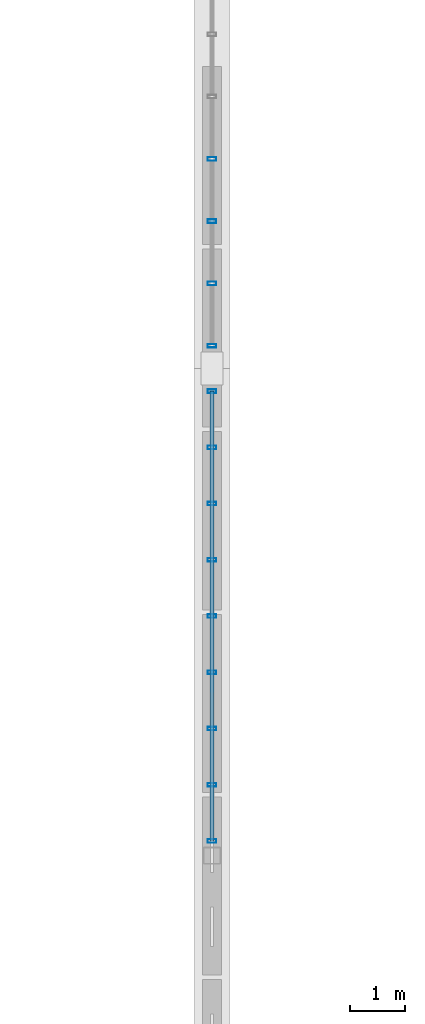
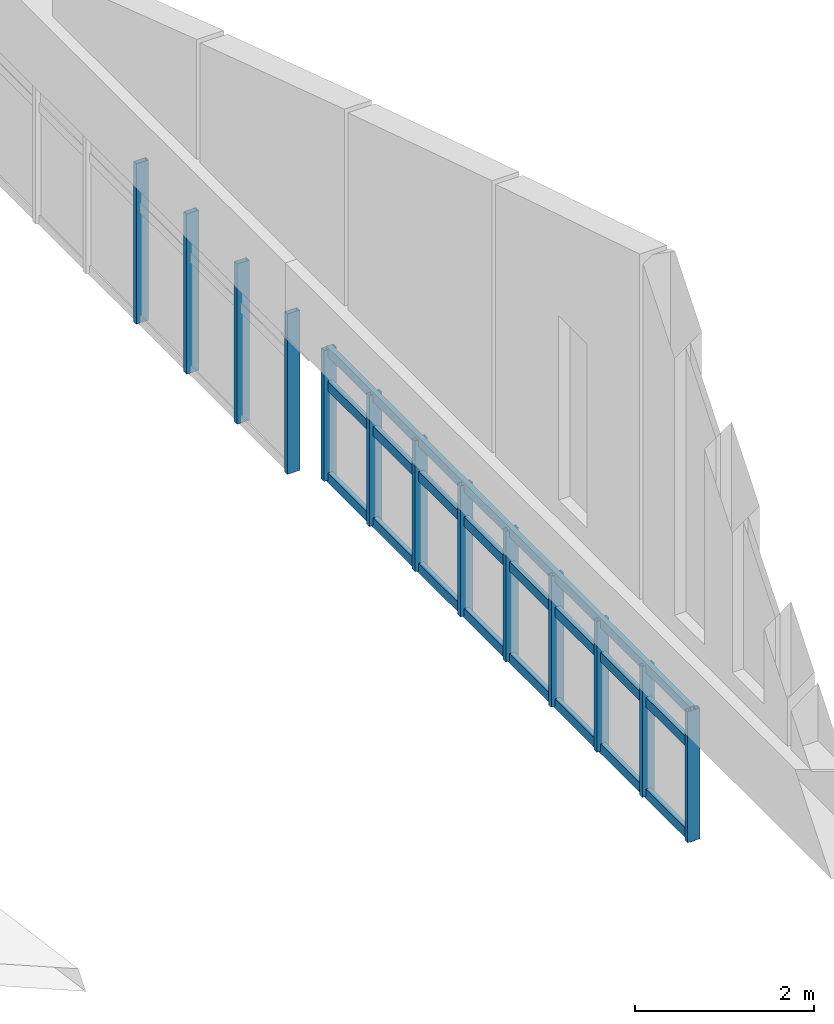
# One storey, part 13 of 65: 16 members, 2 elements without a shape of their own.
"""IFC4 building model written with IfcOpenShell, lengths in metres."""

from ifc_helpers import new_model, si_unit, direction, frame, origin, origin_2d, place, context, subcontext, project, spatial, hollow_rectangle, extrude, material, layer, layer_set, material_profile, profile_set, type_object, element, aggregate, save


model = new_model("IFC4")

# Units and contexts
model_context = context("Model", 3, precision=1e-05, world=origin(), true_north=direction((0.0, 1.0)))
body_context = subcontext(model_context, "Body", "Model", "MODEL_VIEW")
ifc_project = project(units=[si_unit("LENGTHUNIT", "METRE"), si_unit("AREAUNIT", "SQUARE_METRE"), si_unit("VOLUMEUNIT", "CUBIC_METRE"), si_unit("PLANEANGLEUNIT", "RADIAN"), si_unit("MASSUNIT", "GRAM", prefix="KILO")], contexts=[model_context])

# Site, building, storey
site_placement = place(None, origin())
site = spatial("IfcSite", under=ifc_project, at=site_placement, CompositionType="ELEMENT")
building_placement = place(site_placement, origin())
building = spatial("IfcBuilding", under=site, at=building_placement, Name="Chalmorin Arch Market", CompositionType="ELEMENT")
storey_placement = place(building_placement, frame((0.0, 0.0, 14.10009765625)))
storey = spatial("IfcBuildingStorey", under=building, at=storey_placement, Name="L03", CompositionType="ELEMENT", Elevation=14.10009765625)

# Curtain wall, members
ifc_material = material(Name="Aluminium 6063-T6", Category="aluminium")
ifc_layer_1 = layer(ifc_material, 0.159912109375)
ifc_layer_set_1 = layer_set([ifc_layer_1], Name="Aluminium 6063-T6")
curtain_wall_type_1 = type_object("IfcCurtainWallType", Name="GableTympanumCurtainWall-CW4-8130x1780", PredefinedType="NOTDEFINED", material=ifc_layer_set_1)
curtain_wall_1_placement = place(storey_placement, origin())
curtain_wall_1 = element("IfcCurtainWall", 1, at=curtain_wall_1_placement, inside=storey, type_object=curtain_wall_type_1, Name="CW-04-033", PredefinedType="NOTDEFINED")
ifc_material_profile_1 = material_profile(ifc_material, hollow_rectangle(XDim=0.06494140625, YDim=0.159912109375, WallThickness=0.00390625, at=origin_2d()), Name="ALU65X160X4")
ifc_profile_set_1 = profile_set([ifc_material_profile_1], Name="Aluminium 6063-T6")
member_type_1 = type_object("IfcMemberType", Name="CurtainWallMullion-65x160", PredefinedType="MULLION", material=ifc_profile_set_1)
member_1_placement = place(storey_placement, frame((48.0, 41.46240234375, -1.60009765625), z_axis=(0.0, 0.0, 1.0), x_axis=(0.0, 1.0, 0.0)))
member_1 = element("IfcMember", 2, at=member_1_placement, type_object=member_type_1, Name="ML-033-01", PredefinedType="MULLION", context=body_context, shape_type="SweptSolid", body=[
    extrude(hollow_rectangle(XDim=0.06494140625, YDim=0.159912109375, WallThickness=0.00390625, at=origin_2d()), origin(), (0.0, 0.0, 1.0), 1.784912109375),
])
member_2_placement = place(storey_placement, frame((48.0, 42.478515625, -1.60009765625), z_axis=(0.0, 0.0, 1.0), x_axis=(0.0, 1.0, 0.0)))
member_2 = element("IfcMember", 3, at=member_2_placement, type_object=member_type_1, Name="ML-033-02", PredefinedType="MULLION", context=body_context, shape_type="SweptSolid", body=[
    extrude(hollow_rectangle(XDim=0.06494140625, YDim=0.159912109375, WallThickness=0.00390625, at=origin_2d()), origin(), (0.0, 0.0, 1.0), 1.784912109375),
])
member_3_placement = place(storey_placement, frame((48.0, 43.494384765625, -1.60009765625), z_axis=(0.0, 0.0, 1.0), x_axis=(0.0, 1.0, 0.0)))
member_3 = element("IfcMember", 4, at=member_3_placement, type_object=member_type_1, Name="ML-033-03", PredefinedType="MULLION", context=body_context, shape_type="SweptSolid", body=[
    extrude(hollow_rectangle(XDim=0.06494140625, YDim=0.159912109375, WallThickness=0.00390625, at=origin_2d()), origin(), (0.0, 0.0, 1.0), 1.784912109375),
])
member_4_placement = place(storey_placement, frame((48.0, 44.51025390625, -1.60009765625), z_axis=(0.0, 0.0, 1.0), x_axis=(0.0, 1.0, 0.0)))
member_4 = element("IfcMember", 5, at=member_4_placement, type_object=member_type_1, Name="ML-033-04", PredefinedType="MULLION", context=body_context, shape_type="SweptSolid", body=[
    extrude(hollow_rectangle(XDim=0.06494140625, YDim=0.159912109375, WallThickness=0.00390625, at=origin_2d()), origin(), (0.0, 0.0, 1.0), 1.784912109375),
])
member_5_placement = place(storey_placement, frame((48.0, 45.526123046875, -1.60009765625), z_axis=(0.0, 0.0, 1.0), x_axis=(0.0, 1.0, 0.0)))
member_5 = element("IfcMember", 6, at=member_5_placement, type_object=member_type_1, Name="ML-033-05", PredefinedType="MULLION", context=body_context, shape_type="SweptSolid", body=[
    extrude(hollow_rectangle(XDim=0.06494140625, YDim=0.159912109375, WallThickness=0.00390625, at=origin_2d()), origin(), (0.0, 0.0, 1.0), 1.784912109375),
])
member_6_placement = place(storey_placement, frame((48.0, 46.542236328125, -1.60009765625), z_axis=(0.0, 0.0, 1.0), x_axis=(0.0, 1.0, 0.0)))
member_6 = element("IfcMember", 7, at=member_6_placement, type_object=member_type_1, Name="ML-033-06", PredefinedType="MULLION", context=body_context, shape_type="SweptSolid", body=[
    extrude(hollow_rectangle(XDim=0.06494140625, YDim=0.159912109375, WallThickness=0.00390625, at=origin_2d()), origin(), (0.0, 0.0, 1.0), 1.784912109375),
])
member_7_placement = place(storey_placement, frame((48.0, 47.55810546875, -1.60009765625), z_axis=(0.0, 0.0, 1.0), x_axis=(0.0, 1.0, 0.0)))
member_7 = element("IfcMember", 8, at=member_7_placement, type_object=member_type_1, Name="ML-033-07", PredefinedType="MULLION", context=body_context, shape_type="SweptSolid", body=[
    extrude(hollow_rectangle(XDim=0.06494140625, YDim=0.159912109375, WallThickness=0.00390625, at=origin_2d()), origin(), (0.0, 0.0, 1.0), 1.784912109375),
])
member_8_placement = place(storey_placement, frame((48.0, 48.573974609375, -1.60009765625), z_axis=(0.0, 0.0, 1.0), x_axis=(0.0, 1.0, 0.0)))
member_8 = element("IfcMember", 9, at=member_8_placement, type_object=member_type_1, Name="ML-033-08", PredefinedType="MULLION", context=body_context, shape_type="SweptSolid", body=[
    extrude(hollow_rectangle(XDim=0.06494140625, YDim=0.159912109375, WallThickness=0.00390625, at=origin_2d()), origin(), (0.0, 0.0, 1.0), 1.784912109375),
])
member_9_placement = place(storey_placement, frame((48.0, 49.590087890625, -1.60009765625), z_axis=(0.0, 0.0, 1.0), x_axis=(0.0, 1.0, 0.0)))
member_9 = element("IfcMember", 10, at=member_9_placement, type_object=member_type_1, Name="ML-033-09", PredefinedType="MULLION", context=body_context, shape_type="SweptSolid", body=[
    extrude(hollow_rectangle(XDim=0.06494140625, YDim=0.159912109375, WallThickness=0.00390625, at=origin_2d()), origin(), (0.0, 0.0, 1.0), 1.784912109375),
])

ifc_layer_2 = layer(ifc_material, 0.159912109375)
ifc_layer_set_2 = layer_set([ifc_layer_2], Name="Aluminium 6063-T6")
curtain_wall_type_2 = type_object("IfcCurtainWallType", Name="GableTympanumCurtainWall-CW4-7880x2180", PredefinedType="NOTDEFINED", material=ifc_layer_set_2)
curtain_wall_2_placement = place(storey_placement, origin())
curtain_wall_2 = element("IfcCurtainWall", 11, at=curtain_wall_2_placement, inside=storey, type_object=curtain_wall_type_2, Name="CW-04-036", PredefinedType="NOTDEFINED")
member_10_placement = place(storey_placement, frame((48.0, 50.409912109375, -2.0), z_axis=(0.0, 0.0, 1.0), x_axis=(0.0, 1.0, 0.0)))
member_10 = element("IfcMember", 12, at=member_10_placement, type_object=member_type_1, Name="ML-036-01", PredefinedType="MULLION", context=body_context, shape_type="SweptSolid", body=[
    extrude(hollow_rectangle(XDim=0.06494140625, YDim=0.159912109375, WallThickness=0.00390625, at=origin_2d()), origin(), (0.0, 0.0, 1.0), 2.184814453125),
])
member_11_placement = place(storey_placement, frame((48.0, 51.53564453125, -2.0), z_axis=(0.0, 0.0, 1.0), x_axis=(0.0, 1.0, 0.0)))
member_11 = element("IfcMember", 13, at=member_11_placement, type_object=member_type_1, Name="ML-036-02", PredefinedType="MULLION", context=body_context, shape_type="SweptSolid", body=[
    extrude(hollow_rectangle(XDim=0.06494140625, YDim=0.159912109375, WallThickness=0.00390625, at=origin_2d()), origin(), (0.0, 0.0, 1.0), 2.184814453125),
])
member_12_placement = place(storey_placement, frame((48.0, 52.661376953125, -2.0), z_axis=(0.0, 0.0, 1.0), x_axis=(0.0, 1.0, 0.0)))
member_12 = element("IfcMember", 14, at=member_12_placement, type_object=member_type_1, Name="ML-036-03", PredefinedType="MULLION", context=body_context, shape_type="SweptSolid", body=[
    extrude(hollow_rectangle(XDim=0.06494140625, YDim=0.159912109375, WallThickness=0.00390625, at=origin_2d()), origin(), (0.0, 0.0, 1.0), 2.184814453125),
])
member_13_placement = place(storey_placement, frame((48.0, 53.787109375, -2.0), z_axis=(0.0, 0.0, 1.0), x_axis=(0.0, 1.0, 0.0)))
member_13 = element("IfcMember", 15, at=member_13_placement, type_object=member_type_1, Name="ML-036-04", PredefinedType="MULLION", context=body_context, shape_type="SweptSolid", body=[
    extrude(hollow_rectangle(XDim=0.06494140625, YDim=0.159912109375, WallThickness=0.00390625, at=origin_2d()), origin(), (0.0, 0.0, 1.0), 2.184814453125),
])
aggregate(curtain_wall_2, [member_10, member_11, member_12, member_13])

# Member
ifc_material_profile_2 = material_profile(ifc_material, hollow_rectangle(XDim=0.06494140625, YDim=0.1298828125, WallThickness=0.00390625, at=origin_2d()), Name="ALU65X130X4")
ifc_profile_set_2 = profile_set([ifc_material_profile_2], Name="Aluminium 6063-T6")
member_type_2 = type_object("IfcMemberType", Name="CurtainWallTransom-65x130", PredefinedType="USERDEFINED", material=ifc_profile_set_2)
member_14_placement = place(storey_placement, frame((48.0, 41.46240234375, -1.565185546875), z_axis=(0.0, 1.0, 0.0), x_axis=(-1.0, 0.0, 0.0)))
member_14 = element("IfcMember", 16, at=member_14_placement, type_object=member_type_2, Name="TR-033-01", ObjectType="TRANSOM", PredefinedType="USERDEFINED", context=body_context, shape_type="SweptSolid", body=[
    extrude(hollow_rectangle(XDim=0.06494140625, YDim=0.1298828125, WallThickness=0.00390625, at=origin_2d()), origin(), (0.0, 0.0, 1.0), 8.127685546875),
])

member_15_placement = place(storey_placement, frame((48.0, 41.46240234375, -0.31494140625), z_axis=(0.0, 1.0, 0.0), x_axis=(-1.0, 0.0, 0.0)))
member_15 = element("IfcMember", 17, at=member_15_placement, type_object=member_type_2, Name="TR-033-02", ObjectType="TRANSOM", PredefinedType="USERDEFINED", context=body_context, shape_type="SweptSolid", body=[
    extrude(hollow_rectangle(XDim=0.06494140625, YDim=0.1298828125, WallThickness=0.00390625, at=origin_2d()), origin(), (0.0, 0.0, 1.0), 8.127685546875),
])

member_16_placement = place(storey_placement, frame((48.0, 41.46240234375, 0.14990234375), z_axis=(0.0, 1.0, 0.0), x_axis=(-1.0, 0.0, 0.0)))
member_16 = element("IfcMember", 18, at=member_16_placement, type_object=member_type_2, Name="TR-033-03", ObjectType="TRANSOM", PredefinedType="USERDEFINED", context=body_context, shape_type="SweptSolid", body=[
    extrude(hollow_rectangle(XDim=0.06494140625, YDim=0.1298828125, WallThickness=0.00390625, at=origin_2d()), origin(), (0.0, 0.0, 1.0), 8.127685546875),
])

aggregate(curtain_wall_1, [member_1, member_2, member_3, member_4, member_5, member_6, member_7, member_8, member_9, member_14, member_15, member_16])

save(model, "model.ifc")
